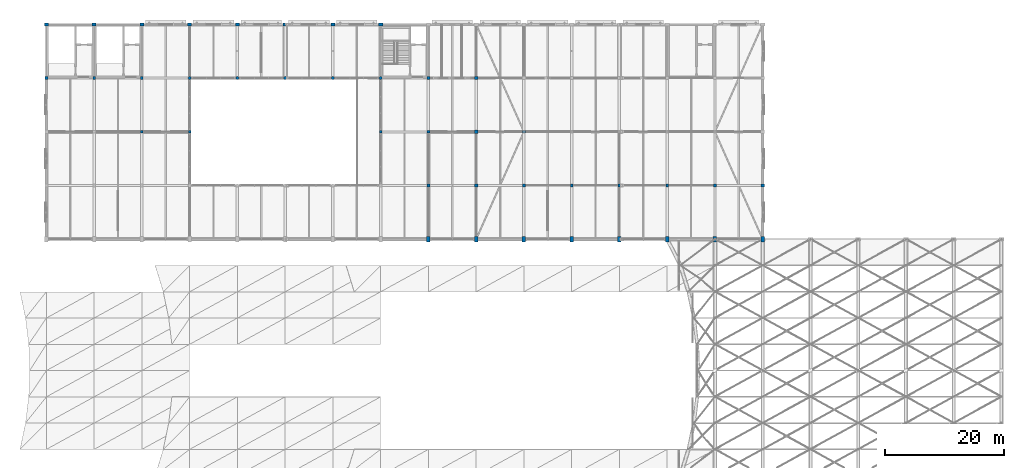
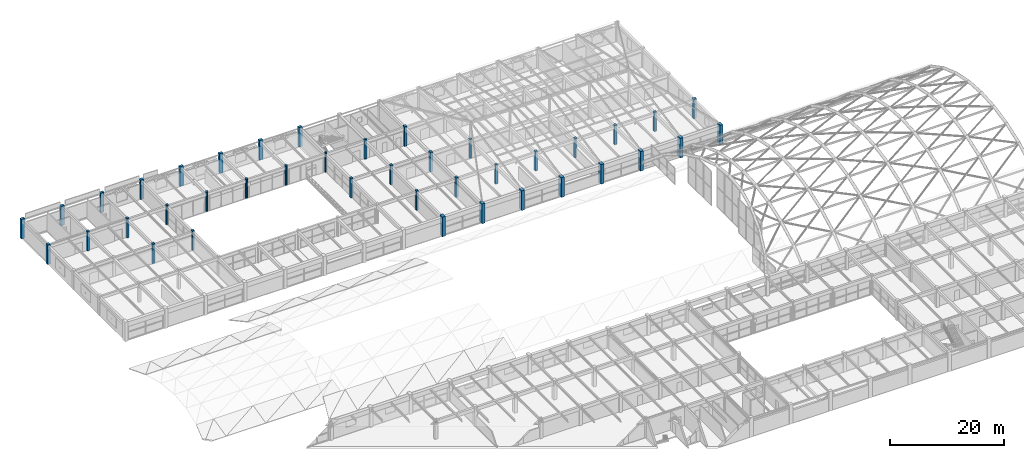
# One storey, part 2 of 126: 40 columns.
"""IFC4 building model written with IfcOpenShell, lengths in metres."""

import ifcopenshell
import ifcopenshell.guid

model = None  # the IFC model being written
_history = None  # IfcOwnerHistory: only IFC2X3 demands one
_inside = {}  # id of a spatial element -> (the spatial element, [elements in it])
_under = {}  # id of a project, library or spatial element -> (it, [spatial elements below it])
_declared = {}  # id of a project -> (the project, [libraries it declares])
_typed = {}  # id of a type object -> (the type object, [elements of that type])
_made_of = {}  # id of a material, layer set ... -> (it, [elements and type objects made of it])


def new_model(schema):
    """Start an empty IFC model of exactly this schema.

    Asked for "IFC4X3", IfcOpenShell would pick the latest addendum, in which some entities
    have other attributes; the version numbers below select the first issue.
    IFC2X3 requires an IfcOwnerHistory on every rooted entity: one is made here for all.
    """
    global model, _history
    if schema == "IFC4X3":
        model = ifcopenshell.file(schema_version=(4, 3, 0, 0))
    else:
        model = ifcopenshell.file(schema=schema)
    _inside.clear()
    _under.clear()
    _declared.clear()
    _typed.clear()
    _made_of.clear()
    _history = None
    if model.schema == "IFC2X3":
        org = make("IfcOrganization", Name="unknown")
        user = make(
            "IfcPersonAndOrganization",
            ThePerson=make("IfcPerson", FamilyName="unknown"),
            TheOrganization=org,
        )
        app = make(
            "IfcApplication",
            ApplicationDeveloper=org,
            Version="unknown",
            ApplicationFullName="unknown",
            ApplicationIdentifier="unknown",
        )
        _history = make(
            "IfcOwnerHistory",
            OwningUser=user,
            OwningApplication=app,
            ChangeAction="ADDED",
            CreationDate=0,
        )
    return model


def make(cls, **values):
    """One entity of the class cls with the attributes given. An attribute that is None is left unset."""
    return model.create_entity(
        cls, **{name: value for name, value in values.items() if value is not None}
    )


def rooted(cls, **values):
    """An entity with a GlobalId (a new one), such as an element, a storey or a relation."""
    return make(cls, GlobalId=ifcopenshell.guid.new(), OwnerHistory=_history, **values)


def si_unit(unit_type, name, prefix=None):
    """IfcSIUnit, for example si_unit("LENGTHUNIT", "METRE", prefix="MILLI")."""
    return make("IfcSIUnit", UnitType=unit_type, Prefix=prefix, Name=name)


def assignment(units):
    """IfcUnitAssignment: the units of a project."""
    return None if units is None else make("IfcUnitAssignment", Units=units)


def point(xyz):
    """IfcCartesianPoint."""
    return None if xyz is None else make("IfcCartesianPoint", Coordinates=xyz)


def direction(xyz):
    """IfcDirection."""
    return None if xyz is None else make("IfcDirection", DirectionRatios=xyz)


def frame(location, z_axis=None, x_axis=None):
    """IfcAxis2Placement3D, a coordinate frame: its origin and axes. An axis left out is left unset."""
    return make(
        "IfcAxis2Placement3D",
        Location=point(location),
        Axis=direction(z_axis),
        RefDirection=direction(x_axis),
    )


def frame_2d(location, x_axis=None):
    """IfcAxis2Placement2D, a coordinate frame in the plane: its origin and x axis."""
    return make(
        "IfcAxis2Placement2D", Location=point(location), RefDirection=direction(x_axis)
    )


def origin():
    """The frame at (0, 0, 0) with its axes left unset."""
    return frame((0.0, 0.0, 0.0))


def origin_2d():
    """The frame at (0, 0) in the plane with its x axis left unset."""
    return frame_2d((0.0, 0.0))


def place(relative_to, where):
    """IfcLocalPlacement: puts the frame where relative to a parent placement (None: the world)."""
    return make(
        "IfcLocalPlacement", PlacementRelTo=relative_to, RelativePlacement=where
    )


def context(
    kind, dimensions, precision=None, world=None, true_north=None, identifier=None
):
    """IfcGeometricRepresentationContext, for example the 3D "Model" context."""
    return make(
        "IfcGeometricRepresentationContext",
        ContextIdentifier=identifier,
        ContextType=kind,
        CoordinateSpaceDimension=dimensions,
        Precision=precision,
        WorldCoordinateSystem=world,
        TrueNorth=true_north,
    )


def subcontext(parent, identifier, kind, view, scale=None):
    """IfcGeometricRepresentationSubContext, for example "Body" below "Model"."""
    return make(
        "IfcGeometricRepresentationSubContext",
        ContextIdentifier=identifier,
        ContextType=kind,
        ParentContext=parent,
        TargetScale=scale,
        TargetView=view,
    )


def project(units=None, contexts=None):
    """IfcProject with its units and contexts."""
    return rooted(
        "IfcProject",
        Name="project",
        RepresentationContexts=contexts,
        UnitsInContext=assignment(units),
    )


def spatial(cls, under=None, at=None, **own):
    """A site, building, storey or space (cls), placed at a placement, below another one or the project."""
    s = rooted(cls, ObjectPlacement=at, **own)
    if under is not None:
        _under.setdefault(under.id(), (under, []))[1].append(s)
    return s


def profile(cls, at=None, kind="AREA", **sizes):
    """A parametric profile (cls). Its sizes go by their IFC names, for example OverallWidth=200.0."""
    return make(cls, ProfileType=kind, Position=at, **sizes)


def rectangle(**sizes):
    """IfcRectangleProfileDef."""
    return profile("IfcRectangleProfileDef", **sizes)


def circle(**sizes):
    """IfcCircleProfileDef."""
    return profile("IfcCircleProfileDef", **sizes)


def extrude(swept, where, along, depth):
    """IfcExtrudedAreaSolid: the profile swept, set in the frame where, extruded along a direction by depth."""
    return make(
        "IfcExtrudedAreaSolid",
        SweptArea=swept,
        Position=where,
        ExtrudedDirection=direction(along),
        Depth=depth,
    )


def shape(context_of_items, identifier, shape_type, items):
    """IfcShapeRepresentation: the items that make up one representation, for example the "Body"."""
    return make(
        "IfcShapeRepresentation",
        ContextOfItems=context_of_items,
        RepresentationIdentifier=identifier,
        RepresentationType=shape_type,
        Items=items,
    )


def material(Name=None, Category=None):
    """IfcMaterial."""
    return make("IfcMaterial", Name=Name, Category=Category)


def material_profile(
    of_material, cross_section, Name=None, Category=None, Priority=None
):
    """IfcMaterialProfile: a cross section and its material."""
    return make(
        "IfcMaterialProfile",
        Name=Name,
        Material=of_material,
        Profile=cross_section,
        Priority=Priority,
        Category=Category,
    )


def profile_set(profiles, Name=None, composite=None):
    """IfcMaterialProfileSet."""
    return make(
        "IfcMaterialProfileSet",
        Name=Name,
        MaterialProfiles=profiles,
        CompositeProfile=composite,
    )


def made_of(thing, what):
    """Note that an element or type object is made of a material, layer set ...; save() writes the relation."""
    if what is not None:
        _made_of.setdefault(what.id(), (what, []))[1].append(thing)
    return thing


def type_object(cls, material=None, **own):
    """A type object (cls), such as IfcWallType, which elements share."""
    return made_of(rooted(cls, **own), material)


def element(
    cls,
    number,
    at=None,
    inside=None,
    cuts=None,
    type_object=None,
    material=None,
    context=None,
    identifier="Body",
    shape_type=None,
    held_by="IfcProductDefinitionShape",
    body=None,
    shapes=None,
    **own,
):
    """One element of the class cls, such as IfcWall. Its Tag is "e" and its number.

    at: its placement. inside: the storey or other place that contains it. cuts: it is an
    opening in that element (IfcRelVoidsElement). A single representation is given by context,
    identifier, shape_type and body (its items); several are given by shapes. held_by: the class
    of the entity that holds the representations. save() writes the other relations.
    """
    e = rooted(cls, Tag="e%d" % number, ObjectPlacement=at, **own)
    if body is not None:
        shapes = [shape(context, identifier, shape_type, body)]
    if shapes is not None:
        e.Representation = make(held_by, Representations=shapes)
    if inside is not None:
        _inside.setdefault(inside.id(), (inside, []))[1].append(e)
    if cuts is not None:
        rooted(
            "IfcRelVoidsElement", RelatingBuildingElement=cuts, RelatedOpeningElement=e
        )
    if type_object is not None:
        _typed.setdefault(type_object.id(), (type_object, []))[1].append(e)
    return made_of(e, material)


def aggregate(whole, parts):
    """IfcRelAggregates: a whole, such as a stair, and the parts it consists of."""
    return rooted("IfcRelAggregates", RelatingObject=whole, RelatedObjects=parts)


def save(model, path):
    """Write the relations noted so far, then the file.

    IfcRelAggregates (storeys below a building ...), IfcRelContainedInSpatialStructure (elements
    in a storey), IfcRelDefinesByType, IfcRelAssociatesMaterial and IfcRelDeclares: one each for
    every whole, place, type object, material and project.
    """
    for whole, parts in _under.values():
        aggregate(whole, parts)
    for where, things in _inside.values():
        rooted(
            "IfcRelContainedInSpatialStructure",
            RelatedElements=things,
            RelatingStructure=where,
        )
    for kind, things in _typed.values():
        rooted("IfcRelDefinesByType", RelatedObjects=things, RelatingType=kind)
    for what, things in _made_of.values():
        rooted("IfcRelAssociatesMaterial", RelatedObjects=things, RelatingMaterial=what)
    for by, libraries in _declared.values():
        rooted("IfcRelDeclares", RelatingContext=by, RelatedDefinitions=libraries)
    model.write(path)


model = new_model("IFC4")

# Units and contexts
model_context = context("Model", 3, precision=1e-05, world=origin(), true_north=direction((0.0, 1.0)))
body_context = subcontext(model_context, "Body", "Model", "MODEL_VIEW")
ifc_project = project(units=[si_unit("LENGTHUNIT", "METRE"), si_unit("AREAUNIT", "SQUARE_METRE"), si_unit("VOLUMEUNIT", "CUBIC_METRE"), si_unit("PLANEANGLEUNIT", "RADIAN"), si_unit("MASSUNIT", "GRAM", prefix="KILO")], contexts=[model_context])

# Site, building, storey
site_placement = place(None, origin())
site = spatial("IfcSite", under=ifc_project, at=site_placement, CompositionType="ELEMENT")
building_placement = place(site_placement, origin())
building = spatial("IfcBuilding", under=site, at=building_placement, Name="Varnabhumi Central Station", CompositionType="ELEMENT")
storey_placement = place(building_placement, frame((0.0, 0.0, 16.199951171875)))
storey = spatial("IfcBuildingStorey", under=building, at=storey_placement, Name="L03", CompositionType="ELEMENT", Elevation=16.199951171875)

# Columns
ifc_material = material(Name="Concrete M40", Category="concrete")
ifc_material_profile_1 = material_profile(ifc_material, rectangle(XDim=0.449951171875, YDim=0.449951171875, at=origin_2d()), Name="Concrete M40", Category="concrete")
ifc_profile_set_1 = profile_set([ifc_material_profile_1], Name="Concrete M40")
column_type_1 = type_object("IfcColumnType", Name="COL-RC-450", PredefinedType="COLUMN", material=ifc_profile_set_1)
for number, where, z_axis, x_axis, name in (
    (1, (32.0, 107.0, 0.0), (0.0, 0.0, 1.0), (1.0, 0.0, 0.0), "Column L03-5N"),
    (2, (40.0, 98.0, 0.0), (0.0, 0.0, 1.0), (1.0, 0.0, 0.0), "Column L03-6M"),
    (3, (40.0, 107.0, 0.0), (0.0, 0.0, 1.0), (1.0, 0.0, 0.0), "Column L03-6N"),
    (4, (48.0, 98.0, 0.0), (0.0, 0.0, 1.0), (1.0, 0.0, 0.0), "Column L03-7M"),
    (5, (80.0, 98.0, 0.0), (0.0, 0.0, 1.0), (1.0, 0.0, 0.0), "Column L03-11M"),
    (6, (88.0, 89.0, 0.0), (0.0, 0.0, 1.0), (1.0, 0.0, 0.0), "Column L03-12L"),
    (7, (88.0, 98.0, 0.0), (0.0, 0.0, 1.0), (1.0, 0.0, 0.0), "Column L03-12M"),
    (8, (88.0, 107.0, 0.0), (0.0, 0.0, 1.0), (1.0, 0.0, 0.0), "Column L03-12N"),
    (9, (104.0, 89.0, 0.0), (0.0, 0.0, 1.0), (1.0, 0.0, 0.0), "Column L03-14L"),
    (10, (104.0, 98.0, 0.0), (0.0, 0.0, 1.0), (1.0, 0.0, 0.0), "Column L03-14M"),
    (11, (112.0, 89.0, 0.0), (0.0, 0.0, 1.0), (1.0, 0.0, 0.0), "Column L03-15L"),
    (12, (120.0, 89.0, 0.0), (0.0, 0.0, 1.0), (1.0, 0.0, 0.0), "Column L03-16L"),
    (13, (128.0, 89.0, 0.0), (0.0, 0.0, 1.0), (1.0, 0.0, 0.0), "Column L03-17L"),
    (14, (136.0, 89.0, 0.0), (0.0, 0.0, 1.0), (1.0, 0.0, 0.0), "Column L03-18L"),
):
    element("IfcColumn", number, at=place(storey_placement, frame(where, z_axis=z_axis, x_axis=x_axis)), inside=storey, type_object=column_type_1, Name=name, PredefinedType="COLUMN", context=body_context, shape_type="SweptSolid", body=[
        extrude(rectangle(XDim=0.449951171875, YDim=0.449951171875, at=origin_2d()), origin(), (0.0, 0.0, 1.0), 4.199951171875),
    ])
ifc_material_profile_2 = material_profile(ifc_material, rectangle(XDim=0.550048828125, YDim=0.550048828125, at=origin_2d()), Name="Concrete M40", Category="concrete")
ifc_profile_set_2 = profile_set([ifc_material_profile_2], Name="Concrete M40")
column_type_2 = type_object("IfcColumnType", Name="COL-RC-550", PredefinedType="COLUMN", material=ifc_profile_set_2)
for number, where, z_axis, x_axis, name in (
    (15, (24.0, 107.0, 0.0), (0.0, 0.0, 1.0), (1.0, 0.0, 0.0), "Column L03-4N"),
    (16, (96.0, 89.0, 0.0), (0.0, 0.0, 1.0), (1.0, 0.0, 0.0), "Column L03-13L"),
    (17, (96.0, 98.0, 0.0), (0.0, 0.0, 1.0), (1.0, 0.0, 0.0), "Column L03-13M"),
    (18, (96.0, 107.0, 0.0), (0.0, 0.0, 1.0), (1.0, 0.0, 0.0), "Column L03-13N"),
    (19, (144.0, 89.0, 0.0), (0.0, 0.0, 1.0), (1.0, 0.0, 0.0), "Column L03-19L"),
):
    element("IfcColumn", number, at=place(storey_placement, frame(where, z_axis=z_axis, x_axis=x_axis)), inside=storey, type_object=column_type_2, Name=name, PredefinedType="COLUMN", context=body_context, shape_type="SweptSolid", body=[
        extrude(rectangle(XDim=0.550048828125, YDim=0.550048828125, at=origin_2d()), origin(), (0.0, 0.0, 1.0), 4.199951171875),
    ])
ifc_material_profile_3 = material_profile(ifc_material, rectangle(XDim=0.699951171875, YDim=0.5, at=origin_2d()), Name="Concrete M40", Category="concrete")
ifc_profile_set_3 = profile_set([ifc_material_profile_3], Name="Concrete M40")
column_type_3 = type_object("IfcColumnType", Name="COL-RC-700x500", PredefinedType="PILASTER", material=ifc_profile_set_3)
for number, where, z_axis, x_axis, name in (
    (20, (24.0, 116.0, 0.0), (0.0, 0.0, 1.0), (1.0, 0.0, 0.0), "Column L03-4P"),
    (21, (32.0, 116.0, 0.0), (0.0, 0.0, 1.0), (1.0, 0.0, 0.0), "Column L03-5P"),
    (22, (40.0, 116.0, 0.0), (0.0, 0.0, 1.0), (1.0, 0.0, 0.0), "Column L03-6P"),
    (23, (48.0, 116.0, 0.0), (0.0, 0.0, 1.0), (1.0, 0.0, 0.0), "Column L03-7P"),
    (24, (56.0, 116.0, 0.0), (0.0, 0.0, 1.0), (1.0, 0.0, 0.0), "Column L03-8P"),
    (25, (64.0, 116.0, 0.0), (0.0, 0.0, 1.0), (1.0, 0.0, 0.0), "Column L03-9P"),
    (26, (72.0, 116.0, 0.0), (0.0, 0.0, 1.0), (1.0, 0.0, 0.0), "Column L03-10P"),
    (27, (80.0, 116.0, 0.0), (0.0, 0.0, 1.0), (1.0, 0.0, 0.0), "Column L03-11P"),
):
    element("IfcColumn", number, at=place(storey_placement, frame(where, z_axis=z_axis, x_axis=x_axis)), inside=storey, type_object=column_type_3, Name=name, PredefinedType="PILASTER", context=body_context, shape_type="SweptSolid", body=[
        extrude(rectangle(XDim=0.699951171875, YDim=0.5, at=origin_2d()), origin(), (0.0, 0.0, 1.0), 4.199951171875),
    ])
ifc_material_profile_4 = material_profile(ifc_material, circle(Radius=0.25, at=origin_2d()), Name="Concrete M40", Category="concrete")
ifc_profile_set_4 = profile_set([ifc_material_profile_4], Name="Concrete M40")
column_type_4 = type_object("IfcColumnType", Name="COL-RC-D500", PredefinedType="COLUMN", material=ifc_profile_set_4)
for number, where, z_axis, x_axis, name in (
    (28, (48.0, 107.0, 0.0), (0.0, 0.0, 1.0), (1.0, 0.0, 0.0), "Column L03-7N"),
    (29, (56.0, 107.0, 0.0), (0.0, 0.0, 1.0), (1.0, 0.0, 0.0), "Column L03-8N"),
    (30, (64.0, 107.0, 0.0), (0.0, 0.0, 1.0), (1.0, 0.0, 0.0), "Column L03-9N"),
    (31, (72.0, 107.0, 0.0), (0.0, 0.0, 1.0), (1.0, 0.0, 0.0), "Column L03-10N"),
    (32, (80.0, 107.0, 0.0), (0.0, 0.0, 1.0), (1.0, 0.0, 0.0), "Column L03-11N"),
):
    element("IfcColumn", number, at=place(storey_placement, frame(where, z_axis=z_axis, x_axis=x_axis)), inside=storey, type_object=column_type_4, Name=name, PredefinedType="COLUMN", context=body_context, shape_type="SweptSolid", body=[
        extrude(circle(Radius=0.25, at=origin_2d()), origin(), (0.0, 0.0, 1.0), 4.199951171875),
    ])
ifc_material_profile_5 = material_profile(ifc_material, rectangle(XDim=0.60009765625, YDim=0.89990234375, at=origin_2d()), Name="Concrete M40", Category="concrete")
ifc_profile_set_5 = profile_set([ifc_material_profile_5], Name="Concrete M40")
column_type_5 = type_object("IfcColumnType", Name="COL-SPINE-M40-900x600", PredefinedType="COLUMN", material=ifc_profile_set_5)
for number, where, z_axis, x_axis, name in (
    (33, (88.0, 80.0, 0.0), (0.0, 0.0, 1.0), (1.0, 0.0, 0.0), "Column L03-12K"),
    (34, (96.0, 80.0, 0.0), (0.0, 0.0, 1.0), (1.0, 0.0, 0.0), "Column L03-13K"),
    (35, (104.0, 80.0, 0.0), (0.0, 0.0, 1.0), (1.0, 0.0, 0.0), "Column L03-14K"),
    (36, (112.0, 80.0, 0.0), (0.0, 0.0, 1.0), (1.0, 0.0, 0.0), "Column L03-15K"),
    (37, (120.0, 80.0, 0.0), (0.0, 0.0, 1.0), (1.0, 0.0, 0.0), "Column L03-16K"),
    (38, (128.0, 80.0, 0.0), (0.0, 0.0, 1.0), (1.0, 0.0, 0.0), "Column L03-17K"),
    (39, (136.0, 80.0, 0.0), (0.0, 0.0, 1.0), (1.0, 0.0, 0.0), "Column L03-18K"),
    (40, (144.0, 80.0, 0.0), (0.0, 0.0, 1.0), (1.0, 0.0, 0.0), "Column L03-19K"),
):
    element("IfcColumn", number, at=place(storey_placement, frame(where, z_axis=z_axis, x_axis=x_axis)), inside=storey, type_object=column_type_5, Name=name, PredefinedType="COLUMN", context=body_context, shape_type="SweptSolid", body=[
        extrude(rectangle(XDim=0.60009765625, YDim=0.89990234375, at=origin_2d()), origin(), (0.0, 0.0, 1.0), 4.199951171875),
    ])

save(model, "model.ifc")
